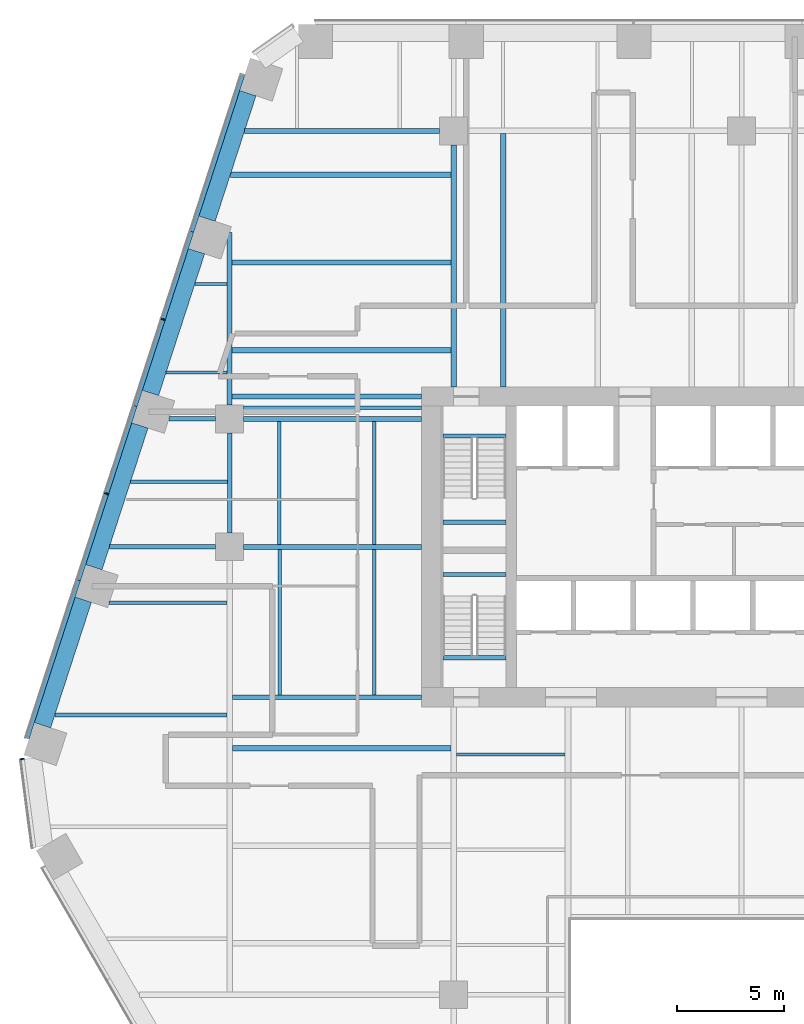
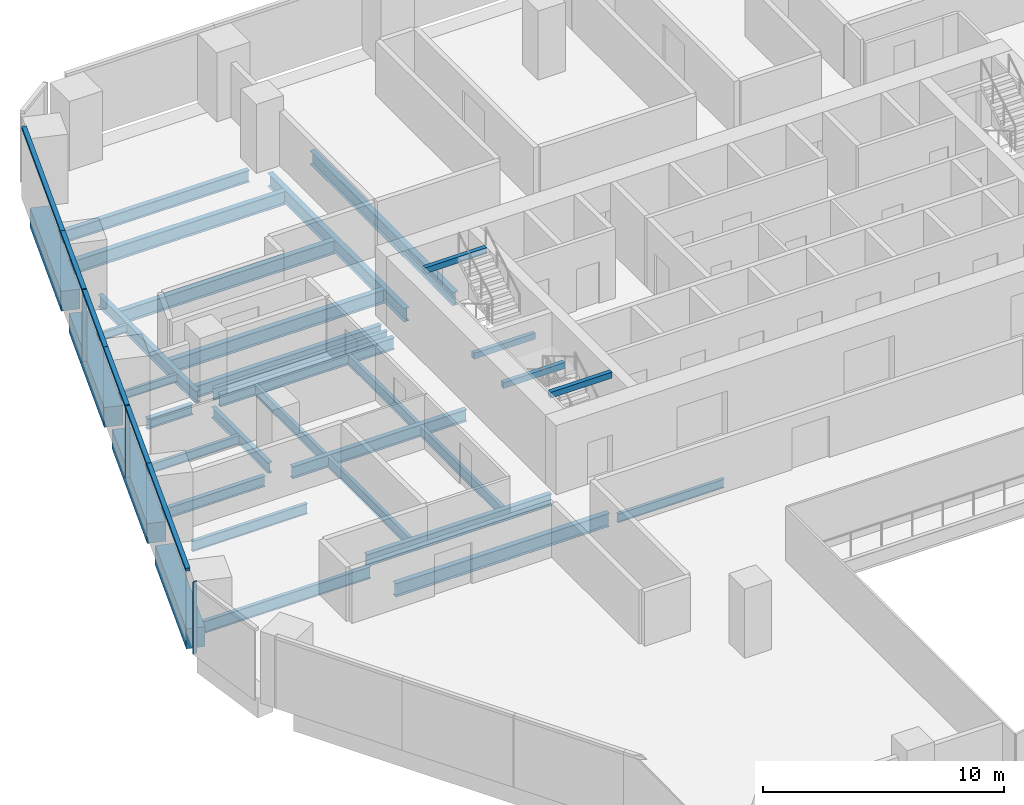
# One storey, part 8 of 21: 34 beams, 9 members, 2 elements without a shape of their own.
"""IFC4 building model written with IfcOpenShell, lengths in metres."""

from ifc_helpers import new_model, si_unit, direction, frame, origin, origin_2d, place, context, subcontext, project, spatial, rectangle, i_section, extrude, material, layer, layer_set, material_profile, profile_set, type_object, element, aggregate, save


model = new_model("IFC4")

# Units and contexts
model_context = context("Model", 3, precision=1e-05, world=origin(), true_north=direction((0.0, 1.0)))
body_context = subcontext(model_context, "Body", "Model", "MODEL_VIEW")
ifc_project = project(units=[si_unit("LENGTHUNIT", "METRE"), si_unit("AREAUNIT", "SQUARE_METRE"), si_unit("VOLUMEUNIT", "CUBIC_METRE"), si_unit("PLANEANGLEUNIT", "RADIAN"), si_unit("MASSUNIT", "GRAM", prefix="KILO")], contexts=[model_context])

# Site, building, storey
site_placement = place(None, origin())
site = spatial("IfcSite", under=ifc_project, at=site_placement, CompositionType="ELEMENT")
building_placement = place(site_placement, origin())
building = spatial("IfcBuilding", under=site, at=building_placement, Name="Isthmus Gate Tower", CompositionType="ELEMENT")
storey_placement = place(building_placement, frame((0.0, 0.0, 102.550048828125)))
storey = spatial("IfcBuildingStorey", under=building, at=storey_placement, Name="L24", CompositionType="ELEMENT", Elevation=102.550048828125)

# Curtain wall, members
ifc_material_1 = material(Name="Aluminium, pale champagne anodised", Category="aluminium")
ifc_layer = layer(ifc_material_1, 0.199951171875)
ifc_layer_set = layer_set([ifc_layer], Name="CW-1 UNITISED CURTAIN WALL 200 DEEP")
curtain_wall_type = type_object("IfcCurtainWallType", Name="CW-1 UNITISED CURTAIN WALL 200 DEEP", PredefinedType="NOTDEFINED", material=ifc_layer_set)
curtain_wall_1_placement = place(storey_placement, origin())
curtain_wall_1 = element("IfcCurtainWall", 1, at=curtain_wall_1_placement, inside=storey, type_object=curtain_wall_type, Name="CW-1 NW L24", PredefinedType="NOTDEFINED")
ifc_material_2 = material(Name="Aluminium, pale champagne anodised", Category="aluminium")
ifc_material_profile_1 = material_profile(ifc_material_2, rectangle(XDim=0.06005859375, YDim=0.199951171875, at=origin_2d()), Name="60x200")
ifc_profile_set_1 = profile_set([ifc_material_profile_1], Name="Aluminium, pale champagne anodised")
member_type_1 = type_object("IfcMemberType", Name="CW-1 MULLION 60 X 200", PredefinedType="MULLION", material=ifc_profile_set_1)
member_1_placement = place(storey_placement, frame((-27.11474609375, 18.163818359375, 0.0), z_axis=(0.0, 0.0, 1.0), x_axis=(-0.309016994375, -0.951056516295, 0.0)))
member_1 = element("IfcMember", 2, at=member_1_placement, type_object=member_type_1, Name="CW-1 mullion", PredefinedType="MULLION", context=body_context, shape_type="SweptSolid", body=[
    extrude(rectangle(XDim=0.06005859375, YDim=0.199951171875, at=origin_2d()), origin(), (0.0, 0.0, 1.0), 3.64990234375),
])
member_2_placement = place(storey_placement, frame((-29.76904296875, 9.994873046875, 0.0), z_axis=(0.0, 0.0, 1.0), x_axis=(-0.309016994375, -0.951056516295, 0.0)))
member_2 = element("IfcMember", 3, at=member_2_placement, type_object=member_type_1, Name="CW-1 mullion", PredefinedType="MULLION", context=body_context, shape_type="SweptSolid", body=[
    extrude(rectangle(XDim=0.06005859375, YDim=0.199951171875, at=origin_2d()), origin(), (0.0, 0.0, 1.0), 3.64990234375),
])

# Curtain wall, member
curtain_wall_2_placement = place(storey_placement, origin())
curtain_wall_2 = element("IfcCurtainWall", 4, at=curtain_wall_2_placement, inside=storey, type_object=curtain_wall_type, Name="CW-1 NW-SW L24", PredefinedType="NOTDEFINED")
member_3_placement = place(storey_placement, frame((-33.722900390625, -2.44482421875, 0.0), z_axis=(0.0, 0.0, 1.0), x_axis=(0.129164534, -0.991623175988, 0.0)))
member_3 = element("IfcMember", 5, at=member_3_placement, type_object=member_type_1, Name="CW-1 mullion", PredefinedType="MULLION", context=body_context, shape_type="SweptSolid", body=[
    extrude(rectangle(XDim=0.06005859375, YDim=0.199951171875, at=origin_2d()), origin(), (0.0, 0.0, 1.0), 3.64990234375),
])
aggregate(curtain_wall_2, [member_3])

# Member
ifc_material_3 = material(Name="Aluminium, pale champagne anodised", Category="aluminium")
ifc_material_profile_2 = material_profile(ifc_material_3, rectangle(XDim=0.199951171875, YDim=0.14990234375, at=origin_2d()), Name="200x150")
ifc_profile_set_2 = profile_set([ifc_material_profile_2], Name="Aluminium, pale champagne anodised")
member_type_2 = type_object("IfcMemberType", Name="CW-1 TRANSOM 200 X 150", PredefinedType="USERDEFINED", material=ifc_profile_set_2)
member_4_placement = place(storey_placement, frame((-23.389892578125, 29.6279296875, 3.574951171875), z_axis=(-0.309036077329, -0.951050315656, 0.0), x_axis=(0.951050315656, -0.309036077329, 0.0)))
member_4 = element("IfcMember", 6, at=member_4_placement, type_object=member_type_2, Name="CW-1 transom", ObjectType="TRANSOM", PredefinedType="USERDEFINED", context=body_context, shape_type="SweptSolid", body=[
    extrude(rectangle(XDim=0.199951171875, YDim=0.14990234375, at=origin_2d()), origin(), (0.0, 0.0, 1.0), 7.7294921875),
])

member_5_placement = place(storey_placement, frame((-25.778564453125, 22.27685546875, 3.574951171875), z_axis=(-0.309021801109, -0.951054954479, 0.0), x_axis=(0.951054954479, -0.309021801109, 0.0)))
member_5 = element("IfcMember", 7, at=member_5_placement, type_object=member_type_2, Name="CW-1 transom", ObjectType="TRANSOM", PredefinedType="USERDEFINED", context=body_context, shape_type="SweptSolid", body=[
    extrude(rectangle(XDim=0.199951171875, YDim=0.14990234375, at=origin_2d()), origin(), (0.0, 0.0, 1.0), 4.294677734375),
])

member_6_placement = place(storey_placement, frame((-27.1240234375, 18.13525390625, 3.574951171875), z_axis=(-0.309023496777, -0.951054403512, 0.0), x_axis=(0.951054403512, -0.309023496777, 0.0)))
member_6 = element("IfcMember", 8, at=member_6_placement, type_object=member_type_2, Name="CW-1 transom", ObjectType="TRANSOM", PredefinedType="USERDEFINED", context=body_context, shape_type="SweptSolid", body=[
    extrude(rectangle(XDim=0.199951171875, YDim=0.14990234375, at=origin_2d()), origin(), (0.0, 0.0, 1.0), 4.234619140625),
])

member_7_placement = place(storey_placement, frame((-28.4326171875, 14.10791015625, 3.574951171875), z_axis=(-0.309021801109, -0.951054954479, 0.0), x_axis=(0.951054954479, -0.309021801109, 0.0)))
member_7 = element("IfcMember", 9, at=member_7_placement, type_object=member_type_2, Name="CW-1 transom", ObjectType="TRANSOM", PredefinedType="USERDEFINED", context=body_context, shape_type="SweptSolid", body=[
    extrude(rectangle(XDim=0.199951171875, YDim=0.14990234375, at=origin_2d()), origin(), (0.0, 0.0, 1.0), 4.294677734375),
])

member_8_placement = place(storey_placement, frame((-29.7783203125, 9.96630859375, 3.574951171875), z_axis=(-0.309023496777, -0.951054403512, 0.0), x_axis=(0.951054403512, -0.309023496777, 0.0)))
member_8 = element("IfcMember", 10, at=member_8_placement, type_object=member_type_2, Name="CW-1 transom", ObjectType="TRANSOM", PredefinedType="USERDEFINED", context=body_context, shape_type="SweptSolid", body=[
    extrude(rectangle(XDim=0.199951171875, YDim=0.14990234375, at=origin_2d()), origin(), (0.0, 0.0, 1.0), 4.234619140625),
])

member_9_placement = place(storey_placement, frame((-31.0869140625, 5.93896484375, 3.574951171875), z_axis=(-0.309015907338, -0.951056869494, 0.0), x_axis=(0.951056869494, -0.309015907338, 0.0)))
member_9 = element("IfcMember", 11, at=member_9_placement, type_object=member_type_2, Name="CW-1 transom", ObjectType="TRANSOM", PredefinedType="USERDEFINED", context=body_context, shape_type="SweptSolid", body=[
    extrude(rectangle(XDim=0.199951171875, YDim=0.14990234375, at=origin_2d()), origin(), (0.0, 0.0, 1.0), 7.789306640625),
])

aggregate(curtain_wall_1, [member_4, member_5, member_1, member_6, member_7, member_2, member_8, member_9])

# Beams
ifc_material_4 = material(Name="Concrete f'c 70 MPa", Category="concrete")
ifc_material_profile_3 = material_profile(ifc_material_4, rectangle(XDim=0.800048828125, YDim=1.0, at=origin_2d()), Name="RC 800X1000")
ifc_profile_set_3 = profile_set([ifc_material_profile_3], Name="Concrete f'c 70 MPa")
beam_type_1 = type_object("IfcBeamType", Name="RC SPANDREL 800 X 1000", PredefinedType="SPANDREL", material=ifc_profile_set_3)
beam_1_placement = place(storey_placement, frame((-32.771240234375, -0.86279296875, -0.5), z_axis=(0.309012042366, 0.951058125286, 0.0), x_axis=(-0.951058125286, 0.309012042366, 0.0)))
element("IfcBeam", 12, at=beam_1_placement, inside=storey, type_object=beam_type_1, Name="str-spandrel-L24-18", PredefinedType="SPANDREL", context=body_context, shape_type="SweptSolid", body=[
    extrude(rectangle(XDim=0.800048828125, YDim=1.0, at=origin_2d()), origin(), (0.0, 0.0, 1.0), 6.189453125),
])
for number, where, z_axis, x_axis, name in (
    (13, (-30.3642578125, 6.54541015625, -0.5), (0.309029993465, 0.951052292537, 0.0), (-0.951052292537, 0.309029993465, 0.0), "str-spandrel-L24-19"),
    (14, (-27.7099609375, 14.71435546875, -0.5), (0.309029993465, 0.951052292537, 0.0), (-0.951052292537, 0.309029993465, 0.0), "str-spandrel-L24-20"),
):
    element("IfcBeam", number, at=place(storey_placement, frame(where, z_axis=z_axis, x_axis=x_axis)), inside=storey, type_object=beam_type_1, Name=name, PredefinedType="SPANDREL", context=body_context, shape_type="SweptSolid", body=[
        extrude(rectangle(XDim=0.800048828125, YDim=1.0, at=origin_2d()), origin(), (0.0, 0.0, 1.0), 6.9892578125),
    ])
beam_2_placement = place(storey_placement, frame((-25.0556640625, 22.88330078125, -0.5), z_axis=(0.309023635203, 0.951054358534, 0.0), x_axis=(-0.951054358534, 0.309023635203, 0.0)))
element("IfcBeam", 15, at=beam_2_placement, inside=storey, type_object=beam_type_1, Name="str-spandrel-L24-21", PredefinedType="SPANDREL", context=body_context, shape_type="SweptSolid", body=[
    extrude(rectangle(XDim=0.800048828125, YDim=1.0, at=origin_2d()), origin(), (0.0, 0.0, 1.0), 6.189208984375),
])
ifc_material_5 = material(Name="Concrete f'c 40 MPa", Category="concrete")
ifc_material_profile_4 = material_profile(ifc_material_5, rectangle(XDim=0.199951171875, YDim=0.300048828125, at=origin_2d()), Name="STAIR LANDING BEAM RC 200 X 300")
ifc_profile_set_4 = profile_set([ifc_material_profile_4], Name="Concrete f'c 40 MPa")
beam_type_2 = type_object("IfcBeamType", Name="STAIR LANDING BEAM RC 200 X 300", PredefinedType="BEAM", material=ifc_profile_set_4)
for number, where, z_axis, x_axis, name in (
    (16, (-14.0, 8.64990234375, 1.474853515625), (1.0, 0.0, 0.0), (0.0, 1.0, 0.0), "L24 ST1 landing beam 1"),
    (17, (-14.0, 12.7001953125, 3.349853515625), (1.0, 0.0, 0.0), (0.0, 1.0, 0.0), "L24 ST1 floor-edge seat beam"),
    (18, (-14.0, 6.199951171875, 1.474853515625), (1.0, 0.0, 0.0), (0.0, 1.0, 0.0), "L24 ST7 landing beam 1"),
    (19, (-14.0, 2.2998046875, 3.349853515625), (1.0, 0.0, 0.0), (0.0, 1.0, 0.0), "L24 ST7 floor-edge seat beam"),
):
    element("IfcBeam", number, at=place(storey_placement, frame(where, z_axis=z_axis, x_axis=x_axis)), inside=storey, type_object=beam_type_2, Name=name, PredefinedType="BEAM", context=body_context, shape_type="SweptSolid", body=[
        extrude(rectangle(XDim=0.199951171875, YDim=0.300048828125, at=origin_2d()), origin(), (0.0, 0.0, 1.0), 2.949951171875),
    ])
ifc_material_6 = material(Name="Structural steel ASTM A992 Gr 50", Category="steel")
ifc_material_profile_5 = material_profile(ifc_material_6, i_section(OverallWidth=0.1396484375, OverallDepth=0.4033203125, WebThickness=0.00634765625, FlangeThickness=0.010986328125, at=origin_2d()), Name="W16X31")
ifc_profile_set_5 = profile_set([ifc_material_profile_5], Name="Structural steel ASTM A992 Gr 50")
beam_type_3 = type_object("IfcBeamType", Name="STEEL FLOOR BEAM W16X31", PredefinedType="JOIST", material=ifc_profile_set_5)
beam_3_placement = place(storey_placement, frame((-26.976318359375, 15.677978515625, -0.3515625), z_axis=(1.0, 0.0, 0.0), x_axis=(0.0, 1.0, 0.0)))
element("IfcBeam", 20, at=beam_3_placement, inside=storey, type_object=beam_type_3, Name="str-beam-L24-02-00", PredefinedType="JOIST", context=body_context, shape_type="SweptSolid", body=[
    extrude(i_section(OverallWidth=0.1396484375, OverallDepth=0.4033203125, WebThickness=0.00634765625, FlangeThickness=0.010986328125, at=origin_2d()), origin(), (0.0, 0.0, 1.0), 2.862060546875),
])
beam_4_placement = place(storey_placement, frame((-25.629150390625, 19.82421875, -0.3515625), z_axis=(1.0, 0.0, 0.0), x_axis=(0.0, 1.0, 0.0)))
element("IfcBeam", 21, at=beam_4_placement, inside=storey, type_object=beam_type_3, Name="str-beam-L24-02-01", PredefinedType="JOIST", context=body_context, shape_type="SweptSolid", body=[
    extrude(i_section(OverallWidth=0.1396484375, OverallDepth=0.4033203125, WebThickness=0.00634765625, FlangeThickness=0.010986328125, at=origin_2d()), origin(), (0.0, 0.0, 1.0), 1.514892578125),
])
ifc_material_7 = material(Name="Structural steel ASTM A992 Gr 50", Category="steel")
ifc_material_profile_6 = material_profile(ifc_material_7, i_section(OverallWidth=0.15234375, OverallDepth=0.45068359375, WebThickness=0.0078125, FlangeThickness=0.010986328125, at=origin_2d()), Name="W18X35")
ifc_profile_set_6 = profile_set([ifc_material_profile_6], Name="Structural steel ASTM A992 Gr 50")
beam_type_4 = type_object("IfcBeamType", Name="STEEL FLOOR BEAM W18X35", PredefinedType="JOIST", material=ifc_profile_set_6)
beam_5_placement = place(storey_placement, frame((-28.6416015625, 10.552490234375, -0.37548828125), z_axis=(1.0, 0.0, 0.0), x_axis=(0.0, 1.0, 0.0)))
element("IfcBeam", 22, at=beam_5_placement, inside=storey, type_object=beam_type_4, Name="str-beam-L24-01-00", PredefinedType="JOIST", context=body_context, shape_type="SweptSolid", body=[
    extrude(i_section(OverallWidth=0.15234375, OverallDepth=0.45068359375, WebThickness=0.0078125, FlangeThickness=0.010986328125, at=origin_2d()), origin(), (0.0, 0.0, 1.0), 4.536865234375),
])
beam_6_placement = place(storey_placement, frame((-13.3681640625, -2.232421875, -0.37548828125), z_axis=(1.0, 0.0, 0.0), x_axis=(0.0, 1.0, 0.0)))
element("IfcBeam", 23, at=beam_6_placement, inside=storey, type_object=beam_type_4, Name="str-beam-L24-12-02", PredefinedType="JOIST", context=body_context, shape_type="SweptSolid", body=[
    extrude(i_section(OverallWidth=0.15234375, OverallDepth=0.45068359375, WebThickness=0.0078125, FlangeThickness=0.010986328125, at=origin_2d()), origin(), (0.0, 0.0, 1.0), 5.1015625),
])
ifc_material_8 = material(Name="Structural steel ASTM A992 Gr 50", Category="steel")
ifc_material_profile_7 = material_profile(ifc_material_8, i_section(OverallWidth=0.1650390625, OverallDepth=0.52392578125, WebThickness=0.009521484375, FlangeThickness=0.010986328125, at=origin_2d()), Name="W21X44")
ifc_profile_set_7 = profile_set([ifc_material_profile_7], Name="Structural steel ASTM A992 Gr 50")
beam_type_5 = type_object("IfcBeamType", Name="STEEL FLOOR BEAM W21X44", PredefinedType="JOIST", material=ifc_profile_set_7)
beam_7_placement = place(storey_placement, frame((-29.645263671875, 4.875, -0.412109375), z_axis=(1.0, 0.0, 0.0), x_axis=(0.0, 1.0, 0.0)))
element("IfcBeam", 24, at=beam_7_placement, inside=storey, type_object=beam_type_5, Name="str-beam-L24-00-03", PredefinedType="JOIST", context=body_context, shape_type="SweptSolid", body=[
    extrude(i_section(OverallWidth=0.1650390625, OverallDepth=0.52392578125, WebThickness=0.009521484375, FlangeThickness=0.010986328125, at=origin_2d()), origin(), (0.0, 0.0, 1.0), 5.511962890625),
])
for number, where, z_axis, x_axis, name in (
    (25, (-21.64990234375, 0.564208984375, -0.412109375), (0.0, 1.0, 0.0), (-1.0, 0.0, 0.0), "str-beam-L24-03-00"),
    (26, (-17.216552734375, 0.564208984375, -0.412109375), (0.0, 1.0, 0.0), (-1.0, 0.0, 0.0), "str-beam-L24-03-01"),
):
    element("IfcBeam", number, at=place(storey_placement, frame(where, z_axis=z_axis, x_axis=x_axis)), inside=storey, type_object=beam_type_5, Name=name, PredefinedType="JOIST", context=body_context, shape_type="SweptSolid", body=[
        extrude(i_section(OverallWidth=0.1650390625, OverallDepth=0.52392578125, WebThickness=0.009521484375, FlangeThickness=0.010986328125, at=origin_2d()), origin(), (0.0, 0.0, 1.0), 6.821533203125),
    ])
for number, where, z_axis, x_axis, name in (
    (27, (-21.67138671875, 7.6142578125, -0.412109375), (0.0, 1.0, 0.0), (-1.0, 0.0, 0.0), "str-beam-L24-04-00"),
    (28, (-17.223876953125, 7.6142578125, -0.412109375), (0.0, 1.0, 0.0), (-1.0, 0.0, 0.0), "str-beam-L24-04-01"),
):
    element("IfcBeam", number, at=place(storey_placement, frame(where, z_axis=z_axis, x_axis=x_axis)), inside=storey, type_object=beam_type_5, Name=name, PredefinedType="JOIST", context=body_context, shape_type="SweptSolid", body=[
        extrude(i_section(OverallWidth=0.1650390625, OverallDepth=0.52392578125, WebThickness=0.009521484375, FlangeThickness=0.010986328125, at=origin_2d()), origin(), (0.0, 0.0, 1.0), 5.771484375),
    ])
ifc_material_9 = material(Name="Structural steel ASTM A992 Gr 50", Category="steel")
ifc_material_profile_8 = material_profile(ifc_material_9, i_section(OverallWidth=0.177734375, OverallDepth=0.60009765625, WebThickness=0.009521484375, FlangeThickness=0.0126953125, at=origin_2d()), Name="W24X55")
ifc_profile_set_8 = profile_set([ifc_material_profile_8], Name="Structural steel ASTM A992 Gr 50")
beam_type_6 = type_object("IfcBeamType", Name="STEEL FLOOR BEAM W24X55", PredefinedType="JOIST", material=ifc_profile_set_8)
beam_8_placement = place(storey_placement, frame((-32.192138671875, -0.375, -0.4501953125), z_axis=(1.0, 0.0, 0.0), x_axis=(0.0, 1.0, 0.0)))
element("IfcBeam", 29, at=beam_8_placement, inside=storey, type_object=beam_type_6, Name="str-beam-L24-00-02", PredefinedType="JOIST", context=body_context, shape_type="SweptSolid", body=[
    extrude(i_section(OverallWidth=0.177734375, OverallDepth=0.60009765625, WebThickness=0.009521484375, FlangeThickness=0.0126953125, at=origin_2d()), origin(), (0.0, 0.0, 1.0), 8.058837890625),
])
beam_9_placement = place(storey_placement, frame((-23.35009765625, 14.02490234375, -0.4501953125), z_axis=(1.0, 0.0, 0.0), x_axis=(0.0, 1.0, 0.0)))
element("IfcBeam", 30, at=beam_9_placement, inside=storey, type_object=beam_type_6, Name="str-beam-L24-05-00", PredefinedType="JOIST", context=body_context, shape_type="SweptSolid", body=[
    extrude(i_section(OverallWidth=0.177734375, OverallDepth=0.60009765625, WebThickness=0.009521484375, FlangeThickness=0.0126953125, at=origin_2d()), origin(), (0.0, 0.0, 1.0), 8.35009765625),
])
ifc_material_10 = material(Name="Structural steel ASTM A992 Gr 50", Category="steel")
ifc_material_profile_9 = material_profile(ifc_material_10, i_section(OverallWidth=0.25390625, OverallDepth=0.679443359375, WebThickness=0.010986328125, FlangeThickness=0.015869140625, at=origin_2d()), Name="W27X84")
ifc_profile_set_9 = profile_set([ifc_material_profile_9], Name="Structural steel ASTM A992 Gr 50")
beam_type_7 = type_object("IfcBeamType", Name="STEEL FLOOR BEAM W27X84", PredefinedType="JOIST", material=ifc_profile_set_9)
for number, where, z_axis, x_axis, name in (
    (31, (-23.8857421875, 16.72021484375, -0.48974609375), (1.0, 0.0, 0.0), (0.0, 1.0, 0.0), "str-beam-L24-07-00"),
    (32, (-23.8857421875, 20.83203125, -0.48974609375), (1.0, 0.0, 0.0), (0.0, 1.0, 0.0), "str-beam-L24-07-01"),
):
    element("IfcBeam", number, at=place(storey_placement, frame(where, z_axis=z_axis, x_axis=x_axis)), inside=storey, type_object=beam_type_7, Name=name, PredefinedType="JOIST", context=body_context, shape_type="SweptSolid", body=[
        extrude(i_section(OverallWidth=0.25390625, OverallDepth=0.679443359375, WebThickness=0.010986328125, FlangeThickness=0.015869140625, at=origin_2d()), origin(), (0.0, 0.0, 1.0), 10.2587890625),
    ])
beam_10_placement = place(storey_placement, frame((-23.965576171875, 24.944091796875, -0.48974609375), z_axis=(1.0, 0.0, 0.0), x_axis=(0.0, 1.0, 0.0)))
element("IfcBeam", 33, at=beam_10_placement, inside=storey, type_object=beam_type_7, Name="str-beam-L24-07-02", PredefinedType="JOIST", context=body_context, shape_type="SweptSolid", body=[
    extrude(i_section(OverallWidth=0.25390625, OverallDepth=0.679443359375, WebThickness=0.010986328125, FlangeThickness=0.015869140625, at=origin_2d()), origin(), (0.0, 0.0, 1.0), 10.338623046875),
])
beam_11_placement = place(storey_placement, frame((-23.86669921875, -1.947998046875, -0.48974609375), z_axis=(1.0, 0.0, 0.0), x_axis=(0.0, 1.0, 0.0)))
element("IfcBeam", 34, at=beam_11_placement, inside=storey, type_object=beam_type_7, Name="str-beam-L24-08-02", PredefinedType="JOIST", context=body_context, shape_type="SweptSolid", body=[
    extrude(i_section(OverallWidth=0.25390625, OverallDepth=0.679443359375, WebThickness=0.010986328125, FlangeThickness=0.015869140625, at=origin_2d()), origin(), (0.0, 0.0, 1.0), 10.23486328125),
])
beam_12_placement = place(storey_placement, frame((-11.165283203125, 15.0, -0.48974609375), z_axis=(0.0, 1.0, 0.0), x_axis=(-1.0, 0.0, 0.0)))
element("IfcBeam", 35, at=beam_12_placement, inside=storey, type_object=beam_type_7, Name="str-beam-L24-14-00", PredefinedType="JOIST", context=body_context, shape_type="SweptSolid", body=[
    extrude(i_section(OverallWidth=0.25390625, OverallDepth=0.679443359375, WebThickness=0.010986328125, FlangeThickness=0.015869140625, at=origin_2d()), origin(), (0.0, 0.0, 1.0), 11.8681640625),
])
ifc_material_11 = material(Name="Structural steel ASTM A992 Gr 50", Category="steel")
ifc_material_profile_10 = material_profile(ifc_material_11, i_section(OverallWidth=0.20947265625, OverallDepth=0.533447265625, WebThickness=0.009521484375, FlangeThickness=0.015869140625, at=origin_2d()), Name="W21X62")
ifc_profile_set_10 = profile_set([ifc_material_profile_10], Name="Structural steel ASTM A992 Gr 50")
beam_type_8 = type_object("IfcBeamType", Name="STEEL GIRDER W21X62", PredefinedType="BEAM", material=ifc_profile_set_10)
beam_13_placement = place(storey_placement, frame((-29.633544921875, 7.5, -0.416748046875), z_axis=(1.0, 0.0, 0.0), x_axis=(0.0, 1.0, 0.0)))
element("IfcBeam", 36, at=beam_13_placement, inside=storey, type_object=beam_type_8, Name="str-girder-L24-09", PredefinedType="BEAM", context=body_context, shape_type="SweptSolid", body=[
    extrude(i_section(OverallWidth=0.20947265625, OverallDepth=0.533447265625, WebThickness=0.009521484375, FlangeThickness=0.015869140625, at=origin_2d()), origin(), (0.0, 0.0, 1.0), 4.983642578125),
])
beam_14_placement = place(storey_placement, frame((-26.8427734375, 13.5, -0.416748046875), z_axis=(1.0, 0.0, 0.0), x_axis=(0.0, 1.0, 0.0)))
element("IfcBeam", 37, at=beam_14_placement, inside=storey, type_object=beam_type_8, Name="str-girder-L24-13", PredefinedType="BEAM", context=body_context, shape_type="SweptSolid", body=[
    extrude(i_section(OverallWidth=0.20947265625, OverallDepth=0.533447265625, WebThickness=0.009521484375, FlangeThickness=0.015869140625, at=origin_2d()), origin(), (0.0, 0.0, 1.0), 2.19287109375),
])
beam_15_placement = place(storey_placement, frame((-24.0, 8.14990234375, -0.416748046875), z_axis=(0.0, 1.0, 0.0), x_axis=(-1.0, 0.0, 0.0)))
element("IfcBeam", 38, at=beam_15_placement, inside=storey, type_object=beam_type_8, Name="str-girder-L24-22", PredefinedType="BEAM", context=body_context, shape_type="SweptSolid", body=[
    extrude(i_section(OverallWidth=0.20947265625, OverallDepth=0.533447265625, WebThickness=0.009521484375, FlangeThickness=0.015869140625, at=origin_2d()), origin(), (0.0, 0.0, 1.0), 4.7001953125),
])
ifc_material_12 = material(Name="Structural steel ASTM A992 Gr 50", Category="steel")
ifc_material_profile_11 = material_profile(ifc_material_12, i_section(OverallWidth=0.228515625, OverallDepth=0.6064453125, WebThickness=0.010986328125, FlangeThickness=0.017578125, at=origin_2d()), Name="W24X76")
ifc_profile_set_11 = profile_set([ifc_material_profile_11], Name="Structural steel ASTM A992 Gr 50")
beam_type_9 = type_object("IfcBeamType", Name="STEEL GIRDER W24X76", PredefinedType="BEAM", material=ifc_profile_set_11)
for number, where, z_axis, x_axis, name in (
    (39, (-23.35009765625, 7.5, -0.453369140625), (1.0, 0.0, 0.0), (0.0, 1.0, 0.0), "str-girder-L24-10"),
    (40, (-23.35009765625, 13.5, -0.453369140625), (1.0, 0.0, 0.0), (0.0, 1.0, 0.0), "str-girder-L24-14"),
):
    element("IfcBeam", number, at=place(storey_placement, frame(where, z_axis=z_axis, x_axis=x_axis)), inside=storey, type_object=beam_type_9, Name=name, PredefinedType="BEAM", context=body_context, shape_type="SweptSolid", body=[
        extrude(i_section(OverallWidth=0.228515625, OverallDepth=0.6064453125, WebThickness=0.010986328125, FlangeThickness=0.017578125, at=origin_2d()), origin(), (0.0, 0.0, 1.0), 8.35009765625),
    ])
beam_16_placement = place(storey_placement, frame((-23.297607421875, 27.0, -0.453369140625), z_axis=(1.0, 0.0, 0.0), x_axis=(0.0, 1.0, 0.0)))
element("IfcBeam", 41, at=beam_16_placement, inside=storey, type_object=beam_type_9, Name="str-girder-L24-17", PredefinedType="BEAM", context=body_context, shape_type="SweptSolid", body=[
    extrude(i_section(OverallWidth=0.228515625, OverallDepth=0.6064453125, WebThickness=0.010986328125, FlangeThickness=0.017578125, at=origin_2d()), origin(), (0.0, 0.0, 1.0), 9.147705078125),
])
beam_17_placement = place(storey_placement, frame((-24.0, 14.14990234375, -0.453369140625), z_axis=(0.0, 1.0, 0.0), x_axis=(-1.0, 0.0, 0.0)))
element("IfcBeam", 42, at=beam_17_placement, inside=storey, type_object=beam_type_9, Name="str-girder-L24-23", PredefinedType="BEAM", context=body_context, shape_type="SweptSolid", body=[
    extrude(i_section(OverallWidth=0.228515625, OverallDepth=0.6064453125, WebThickness=0.010986328125, FlangeThickness=0.017578125, at=origin_2d()), origin(), (0.0, 0.0, 1.0), 8.099365234375),
])
beam_18_placement = place(storey_placement, frame((-15.0, 0.449951171875, -0.453369140625), z_axis=(-1.0, 0.0, 0.0), x_axis=(0.0, -1.0, 0.0)))
element("IfcBeam", 43, at=beam_18_placement, inside=storey, type_object=beam_type_9, Name="str-girder-L24-39", PredefinedType="BEAM", context=body_context, shape_type="SweptSolid", body=[
    extrude(i_section(OverallWidth=0.228515625, OverallDepth=0.6064453125, WebThickness=0.010986328125, FlangeThickness=0.017578125, at=origin_2d()), origin(), (0.0, 0.0, 1.0), 8.86669921875),
])
beam_19_placement = place(storey_placement, frame((-15.0, 14.550048828125, -0.453369140625), z_axis=(-1.0, 0.0, 0.0), x_axis=(0.0, -1.0, 0.0)))
element("IfcBeam", 44, at=beam_19_placement, inside=storey, type_object=beam_type_9, Name="str-girder-L24-41", PredefinedType="BEAM", context=body_context, shape_type="SweptSolid", body=[
    extrude(i_section(OverallWidth=0.228515625, OverallDepth=0.6064453125, WebThickness=0.010986328125, FlangeThickness=0.017578125, at=origin_2d()), origin(), (0.0, 0.0, 1.0), 8.8857421875),
])
ifc_material_13 = material(Name="Structural steel ASTM A992 Gr 50", Category="steel")
ifc_material_profile_12 = material_profile(ifc_material_13, i_section(OverallWidth=0.25390625, OverallDepth=0.679443359375, WebThickness=0.010986328125, FlangeThickness=0.015869140625, at=origin_2d()), Name="W27X84")
ifc_profile_set_12 = profile_set([ifc_material_profile_12], Name="Structural steel ASTM A992 Gr 50")
beam_type_10 = type_object("IfcBeamType", Name="STEEL GIRDER W27X84", PredefinedType="BEAM", material=ifc_profile_set_12)
beam_20_placement = place(storey_placement, frame((-13.5, 15.0, -0.48974609375), z_axis=(0.0, 1.0, 0.0), x_axis=(-1.0, 0.0, 0.0)))
element("IfcBeam", 45, at=beam_20_placement, inside=storey, type_object=beam_type_10, Name="str-girder-L24-27", PredefinedType="BEAM", context=body_context, shape_type="SweptSolid", body=[
    extrude(i_section(OverallWidth=0.25390625, OverallDepth=0.679443359375, WebThickness=0.010986328125, FlangeThickness=0.015869140625, at=origin_2d()), origin(), (0.0, 0.0, 1.0), 11.35009765625),
])

save(model, "model.ifc")
